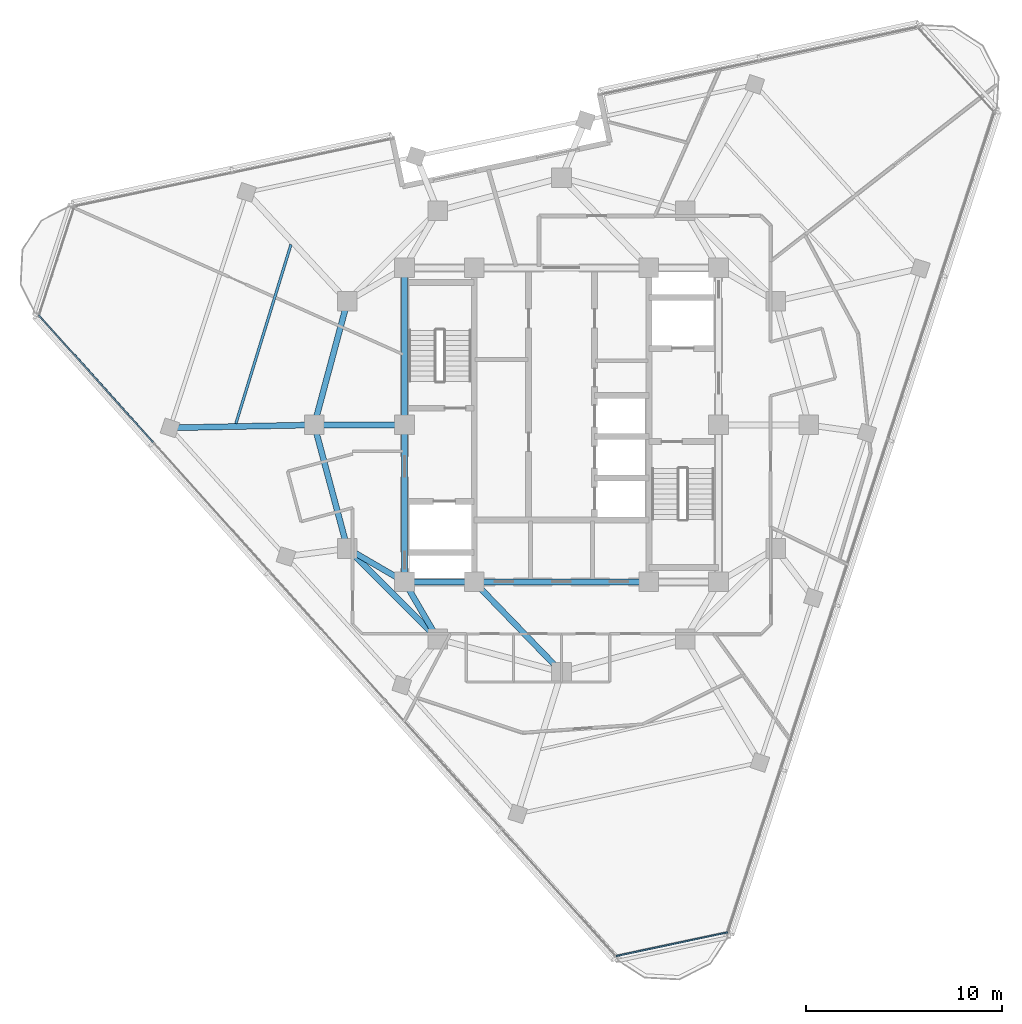
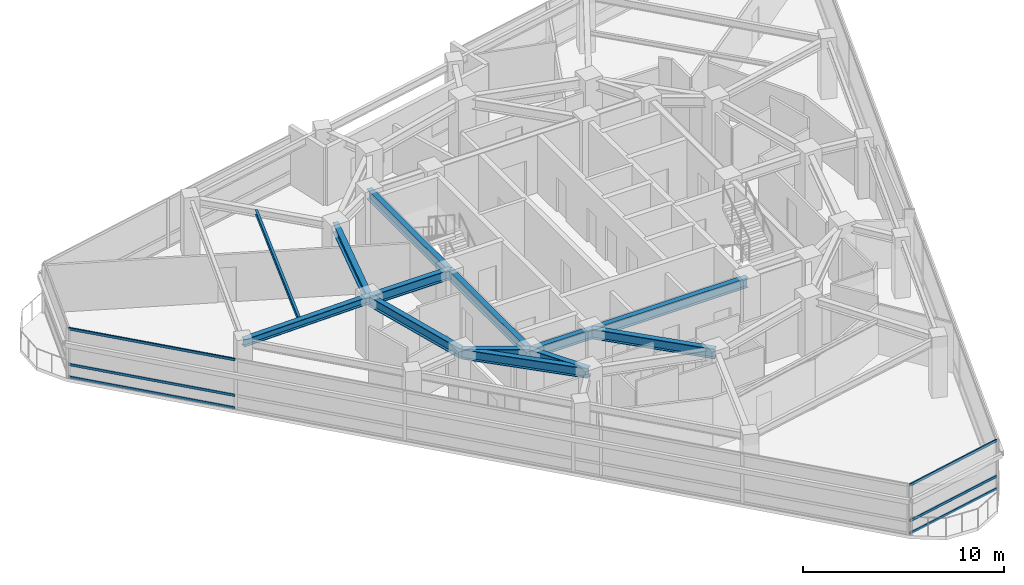
# One storey, part 3 of 15: 13 beams, 6 members, 2 elements without a shape of their own.
"""IFC4 building model written with IfcOpenShell, lengths in metres."""

from ifc_helpers import new_model, si_unit, direction, frame, origin, origin_2d, place, context, subcontext, project, spatial, rectangle, i_section, extrude, material, layer, layer_set, material_profile, profile_set, type_object, element, aggregate, save


model = new_model("IFC4")

# Units and contexts
model_context = context("Model", 3, precision=1e-05, world=origin(), true_north=direction((0.0, 1.0)))
body_context = subcontext(model_context, "Body", "Model", "MODEL_VIEW")
ifc_project = project(units=[si_unit("LENGTHUNIT", "METRE"), si_unit("AREAUNIT", "SQUARE_METRE"), si_unit("VOLUMEUNIT", "CUBIC_METRE"), si_unit("PLANEANGLEUNIT", "RADIAN"), si_unit("MASSUNIT", "GRAM", prefix="KILO")], contexts=[model_context])

# Site, building, storey
site_placement = place(None, origin())
site = spatial("IfcSite", under=ifc_project, at=site_placement, CompositionType="ELEMENT")
building_placement = place(site_placement, origin())
building = spatial("IfcBuilding", under=site, at=building_placement, Name="Terralouvre Media Tower", CompositionType="ELEMENT")
storey_placement = place(building_placement, frame((0.0, 0.0, 301.699951171875)))
storey = spatial("IfcBuildingStorey", under=building, at=storey_placement, Name="L78", CompositionType="ELEMENT", Elevation=301.699951171875)

# Beam
ifc_material_1 = material(Name="Structural steel S355J2", Category="steel")
ifc_material_profile_1 = material_profile(ifc_material_1, i_section(OverallWidth=0.135009765625, OverallDepth=0.27001953125, WebThickness=0.006591796875, FlangeThickness=0.01025390625, at=origin_2d()), Name="IPE 270")
ifc_profile_set_1 = profile_set([ifc_material_profile_1], Name="Structural steel S355J2")
beam_type_1 = type_object("IfcBeamType", Name="Composite Floor Joist J-IPE270 (IPE 270)", PredefinedType="JOIST", material=ifc_profile_set_1)
beam_1_placement = place(storey_placement, frame((-13.788330078125, 9.187744140625, 3.364990234375), z_axis=(-0.294195495195, -0.955745264496, 0.0), x_axis=(0.955745264496, -0.294195495195, 0.0)))
element("IfcBeam", 1, at=beam_1_placement, inside=storey, type_object=beam_type_1, Name="L78 Framing Beam JT-L78-06", PredefinedType="JOIST", context=body_context, shape_type="SweptSolid", body=[
    extrude(i_section(OverallWidth=0.135009765625, OverallDepth=0.27001953125, WebThickness=0.006591796875, FlangeThickness=0.01025390625, at=origin_2d()), origin(), (0.0, 0.0, 1.0), 9.544189453125),
])

# Curtain wall, members
ifc_material_2 = material(Name="Low-iron laminated double glazing with solar-control coating", Category="glass")
ifc_layer_1 = layer(ifc_material_2, 0.1650390625, Name="Faceted Glass-Point Crown Curtain Wall CW-06")
ifc_layer_set_1 = layer_set([ifc_layer_1], Name="Low-iron laminated double glazing with solar-control coating")
curtain_wall_type_1 = type_object("IfcCurtainWallType", Name="Faceted Glass-Point Crown Curtain Wall CW-06", PredefinedType="NOTDEFINED", material=ifc_layer_set_1)
curtain_wall_1_placement = place(storey_placement, origin())
curtain_wall_1 = element("IfcCurtainWall", 2, at=curtain_wall_1_placement, inside=storey, type_object=curtain_wall_type_1, Name="L78 Facade Curtain Wall F2", PredefinedType="NOTDEFINED")
ifc_material_3 = material(Name="Anodised extruded aluminium 6063-T6", Category="aluminium")
ifc_material_profile_2 = material_profile(ifc_material_3, rectangle(XDim=0.074951171875, YDim=0.14990234375, at=origin_2d()), Name="ALU 75x150")
ifc_profile_set_2 = profile_set([ifc_material_profile_2], Name="Anodised extruded aluminium 6063-T6")
member_type = type_object("IfcMemberType", Name="Curtain-Wall Horizontal Transom TR-150", PredefinedType="USERDEFINED", material=ifc_profile_set_2)
member_1_placement = place(storey_placement, frame((-26.64306640625, 5.59423828125, 0.03759765625), z_axis=(0.669130389016, -0.743145021174, 0.0), x_axis=(0.743145021174, 0.669130389016, 0.0)))
member_1 = element("IfcMember", 3, at=member_1_placement, type_object=member_type, Name="CW-06 transom 1.1", ObjectType="TRANSOM", PredefinedType="USERDEFINED", context=body_context, shape_type="SweptSolid", body=[
    extrude(rectangle(XDim=0.074951171875, YDim=0.14990234375, at=origin_2d()), origin(), (0.0, 0.0, 1.0), 8.71142578125),
])
member_2_placement = place(storey_placement, frame((-26.64306640625, 5.59423828125, 0.800048828125), z_axis=(0.669130389016, -0.743145021174, 0.0), x_axis=(0.743145021174, 0.669130389016, 0.0)))
member_2 = element("IfcMember", 4, at=member_2_placement, type_object=member_type, Name="CW-06 transom 1.2", ObjectType="TRANSOM", PredefinedType="USERDEFINED", context=body_context, shape_type="SweptSolid", body=[
    extrude(rectangle(XDim=0.074951171875, YDim=0.14990234375, at=origin_2d()), origin(), (0.0, 0.0, 1.0), 8.71142578125),
])
member_3_placement = place(storey_placement, frame((-26.64306640625, 5.59423828125, 2.962646484375), z_axis=(0.669130389016, -0.743145021174, 0.0), x_axis=(0.743145021174, 0.669130389016, 0.0)))
member_3 = element("IfcMember", 5, at=member_3_placement, type_object=member_type, Name="CW-06 transom 1.3", ObjectType="TRANSOM", PredefinedType="USERDEFINED", context=body_context, shape_type="SweptSolid", body=[
    extrude(rectangle(XDim=0.074951171875, YDim=0.14990234375, at=origin_2d()), origin(), (0.0, 0.0, 1.0), 8.71142578125),
])
aggregate(curtain_wall_1, [member_1, member_2, member_3])

ifc_material_4 = material(Name="Low-iron laminated double glazing with solar-control coating", Category="glass")
ifc_layer_2 = layer(ifc_material_4, 0.1650390625, Name="Rounded Wind-Corner Curved Glazing CW-04")
ifc_layer_set_2 = layer_set([ifc_layer_2], Name="Low-iron laminated double glazing with solar-control coating")
curtain_wall_type_2 = type_object("IfcCurtainWallType", Name="Rounded Wind-Corner Curved Glazing CW-04", PredefinedType="NOTDEFINED", material=ifc_layer_set_2)
curtain_wall_2_placement = place(storey_placement, origin())
curtain_wall_2 = element("IfcCurtainWall", 6, at=curtain_wall_2_placement, inside=storey, type_object=curtain_wall_type_2, Name="L78 Rounded Wind-Corner Curtain Wall C0", PredefinedType="NOTDEFINED")
member_4_placement = place(storey_placement, frame((2.783935546875, -27.0654296875, 0.03759765625), z_axis=(0.978142503597, 0.207935669515, 0.0), x_axis=(-0.207935669515, 0.978142503597, 0.0)))
member_4 = element("IfcMember", 7, at=member_4_placement, type_object=member_type, Name="CW-04 transom 1.1", ObjectType="TRANSOM", PredefinedType="USERDEFINED", context=body_context, shape_type="SweptSolid", body=[
    extrude(rectangle(XDim=0.074951171875, YDim=0.14990234375, at=origin_2d()), origin(), (0.0, 0.0, 1.0), 5.808349609375),
])
member_5_placement = place(storey_placement, frame((2.783935546875, -27.0654296875, 0.800048828125), z_axis=(0.978142503597, 0.207935669515, 0.0), x_axis=(-0.207935669515, 0.978142503597, 0.0)))
member_5 = element("IfcMember", 8, at=member_5_placement, type_object=member_type, Name="CW-04 transom 1.2", ObjectType="TRANSOM", PredefinedType="USERDEFINED", context=body_context, shape_type="SweptSolid", body=[
    extrude(rectangle(XDim=0.074951171875, YDim=0.14990234375, at=origin_2d()), origin(), (0.0, 0.0, 1.0), 5.808349609375),
])
member_6_placement = place(storey_placement, frame((2.783935546875, -27.0654296875, 2.962646484375), z_axis=(0.978142503597, 0.207935669515, 0.0), x_axis=(-0.207935669515, 0.978142503597, 0.0)))
member_6 = element("IfcMember", 9, at=member_6_placement, type_object=member_type, Name="CW-04 transom 1.3", ObjectType="TRANSOM", PredefinedType="USERDEFINED", context=body_context, shape_type="SweptSolid", body=[
    extrude(rectangle(XDim=0.074951171875, YDim=0.14990234375, at=origin_2d()), origin(), (0.0, 0.0, 1.0), 5.808349609375),
])
aggregate(curtain_wall_2, [member_4, member_5, member_6])

# Beams
ifc_material_5 = material(Name="Structural steel S355J2", Category="steel")
ifc_material_profile_3 = material_profile(ifc_material_5, i_section(OverallWidth=0.300048828125, OverallDepth=0.449951171875, WebThickness=0.013916015625, FlangeThickness=0.02587890625, at=origin_2d()), Name="HEB 450")
ifc_profile_set_3 = profile_set([ifc_material_profile_3], Name="Structural steel S355J2")
beam_type_2 = type_object("IfcBeamType", Name="Primary Floor Girder B-HEB450 (HEB 450)", PredefinedType="BEAM", material=ifc_profile_set_3)
beam_2_placement = place(storey_placement, frame((-12.60009765625, 0.0, 3.275146484375), z_axis=(-0.999787942628, -0.020592954534, 0.0), x_axis=(0.020592954534, -0.999787942628, 0.0)))
element("IfcBeam", 10, at=beam_2_placement, inside=storey, type_object=beam_type_2, Name="L78 Framing Beam BM-L78-RD01", PredefinedType="BEAM", context=body_context, shape_type="SweptSolid", body=[
    extrude(i_section(OverallWidth=0.300048828125, OverallDepth=0.449951171875, WebThickness=0.013916015625, FlangeThickness=0.02587890625, at=origin_2d()), origin(), (0.0, 0.0, 1.0), 7.350341796875),
])
ifc_material_6 = material(Name="Structural steel S460M", Category="steel")
ifc_material_profile_4 = material_profile(ifc_material_6, i_section(OverallWidth=0.300048828125, OverallDepth=0.60009765625, WebThickness=0.015380859375, FlangeThickness=0.030029296875, at=origin_2d()), Name="HEB 600")
ifc_profile_set_4 = profile_set([ifc_material_profile_4], Name="Structural steel S460M")
beam_type_3 = type_object("IfcBeamType", Name="Primary Floor Girder B-HEB600 (HEB 600)", PredefinedType="BEAM", material=ifc_profile_set_4)
beam_3_placement = place(storey_placement, frame((-8.0, -8.0, 3.199951171875), z_axis=(1.0, 0.0, 0.0), x_axis=(0.0, 1.0, 0.0)))
element("IfcBeam", 11, at=beam_3_placement, inside=storey, type_object=beam_type_3, Name="L78 Framing Beam BM-L78-CPR01", PredefinedType="BEAM", context=body_context, shape_type="SweptSolid", body=[
    extrude(i_section(OverallWidth=0.300048828125, OverallDepth=0.60009765625, WebThickness=0.015380859375, FlangeThickness=0.030029296875, at=origin_2d()), origin(), (0.0, 0.0, 1.0), 3.550048828125),
])
beam_4_placement = place(storey_placement, frame((-4.449951171875, -8.0, 3.199951171875), z_axis=(1.0, 0.0, 0.0), x_axis=(0.0, 1.0, 0.0)))
element("IfcBeam", 12, at=beam_4_placement, inside=storey, type_object=beam_type_3, Name="L78 Framing Beam BM-L78-CPR02", PredefinedType="BEAM", context=body_context, shape_type="SweptSolid", body=[
    extrude(i_section(OverallWidth=0.300048828125, OverallDepth=0.60009765625, WebThickness=0.015380859375, FlangeThickness=0.030029296875, at=origin_2d()), origin(), (0.0, 0.0, 1.0), 8.89990234375),
])
for number, where, z_axis, x_axis, name in (
    (13, (-8.0, 8.0, 3.199951171875), (0.0, -1.0, 0.0), (1.0, 0.0, 0.0), "L78 Framing Beam BM-L78-CPR09"),
    (14, (-8.0, 0.0, 3.199951171875), (0.0, -1.0, 0.0), (1.0, 0.0, 0.0), "L78 Framing Beam BM-L78-CPR10"),
):
    element("IfcBeam", number, at=place(storey_placement, frame(where, z_axis=z_axis, x_axis=x_axis)), inside=storey, type_object=beam_type_3, Name=name, PredefinedType="BEAM", context=body_context, shape_type="SweptSolid", body=[
        extrude(i_section(OverallWidth=0.300048828125, OverallDepth=0.60009765625, WebThickness=0.015380859375, FlangeThickness=0.030029296875, at=origin_2d()), origin(), (0.0, 0.0, 1.0), 8.0),
    ])
beam_5_placement = place(storey_placement, frame((-10.911865234375, -6.300048828125, 3.199951171875), z_axis=(0.707106781187, -0.707106781187, 0.0), x_axis=(0.707106781187, 0.707106781187, 0.0)))
element("IfcBeam", 15, at=beam_5_placement, inside=storey, type_object=beam_type_3, Name="L78 Framing Beam BM-L78-MR01", PredefinedType="BEAM", context=body_context, shape_type="SweptSolid", body=[
    extrude(i_section(OverallWidth=0.300048828125, OverallDepth=0.60009765625, WebThickness=0.015380859375, FlangeThickness=0.030029296875, at=origin_2d()), origin(), (0.0, 0.0, 1.0), 6.52197265625),
])
for number, where, z_axis, x_axis, name in (
    (16, (-10.911865234375, 6.300048828125, 3.199951171875), (-0.258838989821, -0.965920481897, 0.0), (0.965920481897, -0.258838989821, 0.0), "L78 Framing Beam BM-L78-MR11"),
    (17, (-12.60009765625, 0.0, 3.199951171875), (0.258838989821, -0.965920481897, 0.0), (0.965920481897, 0.258838989821, 0.0), "L78 Framing Beam BM-L78-MR12"),
):
    element("IfcBeam", number, at=place(storey_placement, frame(where, z_axis=z_axis, x_axis=x_axis)), inside=storey, type_object=beam_type_3, Name=name, PredefinedType="BEAM", context=body_context, shape_type="SweptSolid", body=[
        extrude(i_section(OverallWidth=0.300048828125, OverallDepth=0.60009765625, WebThickness=0.015380859375, FlangeThickness=0.030029296875, at=origin_2d()), origin(), (0.0, 0.0, 1.0), 6.522216796875),
    ])
for number, where, z_axis, x_axis, name in (
    (18, (-8.0, -8.0, 3.199951171875), (-0.863602894532, 0.504172629717, 0.0), (-0.504172629717, -0.863602894532, 0.0), "L78 Framing Beam BM-L78-CM01"),
    (19, (-8.0, -8.0, 3.199951171875), (0.504172629717, -0.863602894532, 0.0), (0.863602894532, 0.504172629717, 0.0), "L78 Framing Beam BM-L78-CM02"),
):
    element("IfcBeam", number, at=place(storey_placement, frame(where, z_axis=z_axis, x_axis=x_axis)), inside=storey, type_object=beam_type_3, Name=name, PredefinedType="BEAM", context=body_context, shape_type="SweptSolid", body=[
        extrude(i_section(OverallWidth=0.300048828125, OverallDepth=0.60009765625, WebThickness=0.015380859375, FlangeThickness=0.030029296875, at=origin_2d()), origin(), (0.0, 0.0, 1.0), 3.371826171875),
    ])
beam_6_placement = place(storey_placement, frame((-4.449951171875, -8.0, 3.199951171875), z_axis=(0.695279715726, -0.718739255155, 0.0), x_axis=(0.718739255155, 0.695279715726, 0.0)))
element("IfcBeam", 20, at=beam_6_placement, inside=storey, type_object=beam_type_3, Name="L78 Framing Beam BM-L78-CM03", PredefinedType="BEAM", context=body_context, shape_type="SweptSolid", body=[
    extrude(i_section(OverallWidth=0.300048828125, OverallDepth=0.60009765625, WebThickness=0.015380859375, FlangeThickness=0.030029296875, at=origin_2d()), origin(), (0.0, 0.0, 1.0), 6.400146484375),
])
beam_7_placement = place(storey_placement, frame((-8.0, 0.0, 3.199951171875), z_axis=(-1.0, 0.0, 0.0), x_axis=(0.0, -1.0, 0.0)))
element("IfcBeam", 21, at=beam_7_placement, inside=storey, type_object=beam_type_3, Name="L78 Framing Beam BM-L78-CM12", PredefinedType="BEAM", context=body_context, shape_type="SweptSolid", body=[
    extrude(i_section(OverallWidth=0.300048828125, OverallDepth=0.60009765625, WebThickness=0.015380859375, FlangeThickness=0.030029296875, at=origin_2d()), origin(), (0.0, 0.0, 1.0), 4.60009765625),
])

save(model, "model.ifc")
